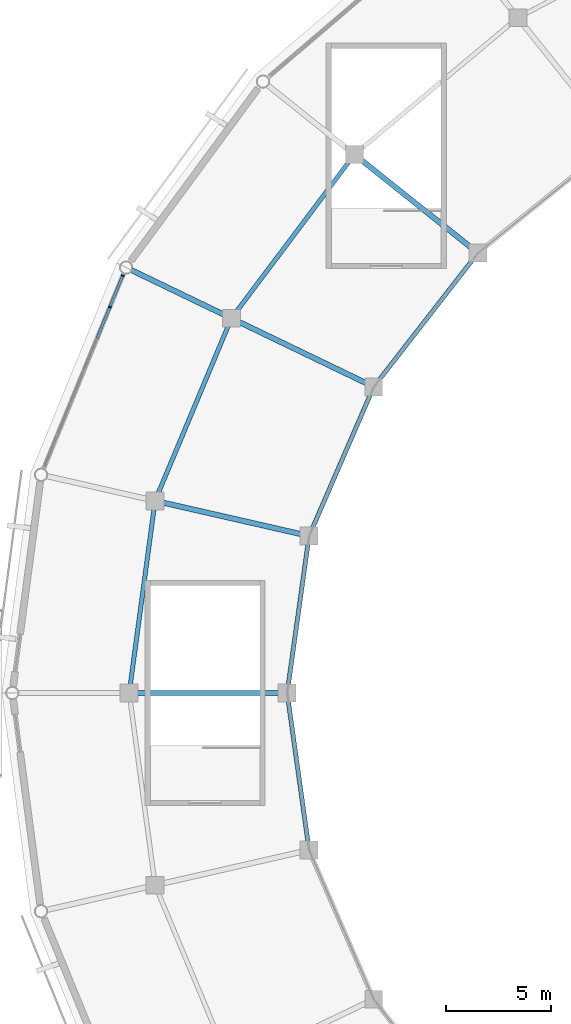
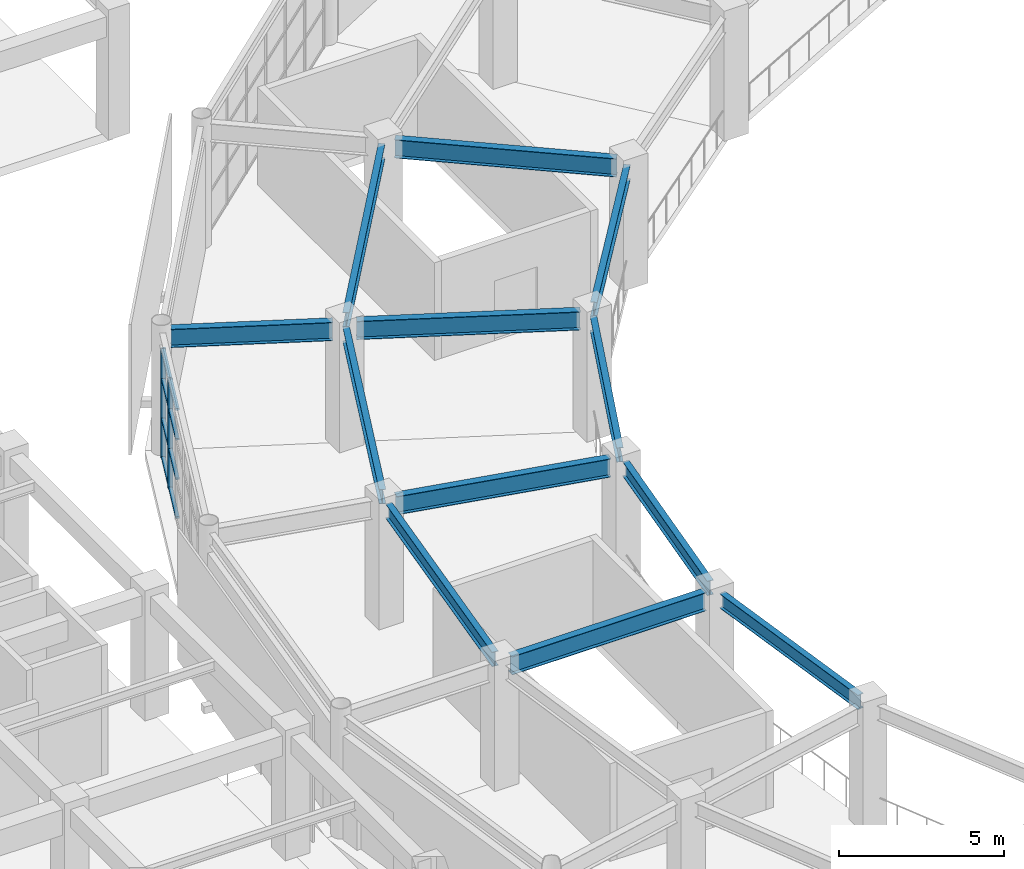
# One storey, part 38 of 112: 12 beams, 10 members, 1 element without a shape of its own.
"""IFC4 building model written with IfcOpenShell, lengths in metres."""

from ifc_helpers import new_model, si_unit, direction, frame, origin, origin_2d, place, context, subcontext, project, spatial, rectangle, i_section, extrude, material, material_profile, profile_set, type_object, element, aggregate, save


model = new_model("IFC4")

# Units and contexts
model_context = context("Model", 3, precision=1e-05, world=origin(), true_north=direction((0.0, 1.0)))
body_context = subcontext(model_context, "Body", "Model", "MODEL_VIEW")
ifc_project = project(units=[si_unit("LENGTHUNIT", "METRE"), si_unit("AREAUNIT", "SQUARE_METRE"), si_unit("VOLUMEUNIT", "CUBIC_METRE"), si_unit("PLANEANGLEUNIT", "RADIAN"), si_unit("MASSUNIT", "GRAM", prefix="KILO")], contexts=[model_context])

# Site, building, storey
site_placement = place(None, origin())
site = spatial("IfcSite", under=ifc_project, at=site_placement, CompositionType="ELEMENT")
building_placement = place(site_placement, origin())
building = spatial("IfcBuilding", under=site, at=building_placement, Name="Cuetzalor Civic Arena", CompositionType="ELEMENT")
storey_placement = place(building_placement, frame((0.0, 0.0, 11.39990234375)))
storey = spatial("IfcBuildingStorey", under=building, at=storey_placement, Name="L02", CompositionType="ELEMENT", Elevation=11.39990234375)

# Curtain wall, members
ifc_material_1 = material(Name="Anodised dark bronze aluminium and low-E solar glass", Category="aluminium")
curtain_wall_type = type_object("IfcCurtainWallType", Name="UnitisedCW_9850x4050", PredefinedType="USERDEFINED", material=ifc_material_1)
curtain_wall_placement = place(storey_placement, origin())
curtain_wall = element("IfcCurtainWall", 1, at=curtain_wall_placement, inside=storey, type_object=curtain_wall_type, Name="Drum Triangle Foyer Curtain Wall L02-038", ObjectType="UNITISED CURTAIN WALL", PredefinedType="USERDEFINED")
ifc_material_2 = material(Name="Anodised dark bronze aluminium", Category="aluminium")
ifc_material_profile_1 = material_profile(ifc_material_2, rectangle(XDim=0.06494140625, YDim=0.14990234375, at=origin_2d()), Name="ALU MULLION 65x150")
ifc_profile_set_1 = profile_set([ifc_material_profile_1], Name="Anodised dark bronze aluminium")
member_type_1 = type_object("IfcMemberType", Name="CurtainWallMullion_60x150", PredefinedType="MULLION", material=ifc_profile_set_1)
member_1_placement = place(storey_placement, frame((-49.916259765625, 18.3232421875, 0.0), z_axis=(0.0, 0.0, 1.0), x_axis=(0.379391428583, 0.925236263836, 0.0)))
member_1 = element("IfcMember", 2, at=member_1_placement, type_object=member_type_1, Name="CW-17 mullion 6", PredefinedType="MULLION", context=body_context, shape_type="SweptSolid", body=[
    extrude(rectangle(XDim=0.06494140625, YDim=0.14990234375, at=origin_2d()), origin(), (0.0, 0.0, 1.0), 4.052978515625),
])
member_2_placement = place(storey_placement, frame((-49.304443359375, 19.815673828125, 0.0), z_axis=(0.0, 0.0, 1.0), x_axis=(0.379391428583, 0.925236263836, 0.0)))
member_2 = element("IfcMember", 3, at=member_2_placement, type_object=member_type_1, Name="CW-17 mullion 7", PredefinedType="MULLION", context=body_context, shape_type="SweptSolid", body=[
    extrude(rectangle(XDim=0.06494140625, YDim=0.14990234375, at=origin_2d()), origin(), (0.0, 0.0, 1.0), 4.052978515625),
])
ifc_material_3 = material(Name="Anodised dark bronze aluminium", Category="aluminium")
ifc_material_profile_2 = material_profile(ifc_material_3, rectangle(XDim=0.1201171875, YDim=0.06494140625, at=origin_2d()), Name="ALU TRANSOM 65x120")
ifc_profile_set_2 = profile_set([ifc_material_profile_2], Name="Anodised dark bronze aluminium")
member_type_2 = type_object("IfcMemberType", Name="CurtainWallTransom_60x120", PredefinedType="USERDEFINED", material=ifc_profile_set_2)
member_3_placement = place(storey_placement, frame((-50.5283203125, 16.83056640625, 0.03271484375), z_axis=(0.379366504724, 0.925246483427, 0.0), x_axis=(-0.925246483427, 0.379366504724, 0.0)))
member_3 = element("IfcMember", 4, at=member_3_placement, type_object=member_type_2, Name="CW-17 transom 5.1", ObjectType="TRANSOM", PredefinedType="USERDEFINED", context=body_context, shape_type="SweptSolid", body=[
    extrude(rectangle(XDim=0.1201171875, YDim=0.06494140625, at=origin_2d()), origin(), (0.0, 0.0, 1.0), 1.58056640625),
])
member_4_placement = place(storey_placement, frame((-50.5283203125, 16.83056640625, 1.458984375), z_axis=(0.379366504724, 0.925246483427, 0.0), x_axis=(-0.925246483427, 0.379366504724, 0.0)))
member_4 = element("IfcMember", 5, at=member_4_placement, type_object=member_type_2, Name="CW-17 transom 5.2", ObjectType="TRANSOM", PredefinedType="USERDEFINED", context=body_context, shape_type="SweptSolid", body=[
    extrude(rectangle(XDim=0.1201171875, YDim=0.06494140625, at=origin_2d()), origin(), (0.0, 0.0, 1.0), 1.58056640625),
])
member_5_placement = place(storey_placement, frame((-50.5283203125, 16.83056640625, 2.918212890625), z_axis=(0.379366504724, 0.925246483427, 0.0), x_axis=(-0.925246483427, 0.379366504724, 0.0)))
member_5 = element("IfcMember", 6, at=member_5_placement, type_object=member_type_2, Name="CW-17 transom 5.3", ObjectType="TRANSOM", PredefinedType="USERDEFINED", context=body_context, shape_type="SweptSolid", body=[
    extrude(rectangle(XDim=0.1201171875, YDim=0.06494140625, at=origin_2d()), origin(), (0.0, 0.0, 1.0), 1.58056640625),
])
member_6_placement = place(storey_placement, frame((-50.5283203125, 16.83056640625, 4.0205078125), z_axis=(0.379366504724, 0.925246483427, 0.0), x_axis=(-0.925246483427, 0.379366504724, 0.0)))
member_6 = element("IfcMember", 7, at=member_6_placement, type_object=member_type_2, Name="CW-17 transom 5.4", ObjectType="TRANSOM", PredefinedType="USERDEFINED", context=body_context, shape_type="SweptSolid", body=[
    extrude(rectangle(XDim=0.1201171875, YDim=0.06494140625, at=origin_2d()), origin(), (0.0, 0.0, 1.0), 1.58056640625),
])
member_7_placement = place(storey_placement, frame((-49.904052734375, 18.353271484375, 0.03271484375), z_axis=(0.379424832692, 0.925222565838, 0.0), x_axis=(-0.925222565838, 0.379424832692, 0.0)))
member_7 = element("IfcMember", 8, at=member_7_placement, type_object=member_type_2, Name="CW-17 transom 6.1", ObjectType="TRANSOM", PredefinedType="USERDEFINED", context=body_context, shape_type="SweptSolid", body=[
    extrude(rectangle(XDim=0.1201171875, YDim=0.06494140625, at=origin_2d()), origin(), (0.0, 0.0, 1.0), 1.548095703125),
])
member_8_placement = place(storey_placement, frame((-49.904052734375, 18.353271484375, 1.458984375), z_axis=(0.379424832692, 0.925222565838, 0.0), x_axis=(-0.925222565838, 0.379424832692, 0.0)))
member_8 = element("IfcMember", 9, at=member_8_placement, type_object=member_type_2, Name="CW-17 transom 6.2", ObjectType="TRANSOM", PredefinedType="USERDEFINED", context=body_context, shape_type="SweptSolid", body=[
    extrude(rectangle(XDim=0.1201171875, YDim=0.06494140625, at=origin_2d()), origin(), (0.0, 0.0, 1.0), 1.548095703125),
])
member_9_placement = place(storey_placement, frame((-49.904052734375, 18.353271484375, 2.918212890625), z_axis=(0.379424832692, 0.925222565838, 0.0), x_axis=(-0.925222565838, 0.379424832692, 0.0)))
member_9 = element("IfcMember", 10, at=member_9_placement, type_object=member_type_2, Name="CW-17 transom 6.3", ObjectType="TRANSOM", PredefinedType="USERDEFINED", context=body_context, shape_type="SweptSolid", body=[
    extrude(rectangle(XDim=0.1201171875, YDim=0.06494140625, at=origin_2d()), origin(), (0.0, 0.0, 1.0), 1.548095703125),
])
member_10_placement = place(storey_placement, frame((-49.904052734375, 18.353271484375, 4.0205078125), z_axis=(0.379424832692, 0.925222565838, 0.0), x_axis=(-0.925222565838, 0.379424832692, 0.0)))
member_10 = element("IfcMember", 11, at=member_10_placement, type_object=member_type_2, Name="CW-17 transom 6.4", ObjectType="TRANSOM", PredefinedType="USERDEFINED", context=body_context, shape_type="SweptSolid", body=[
    extrude(rectangle(XDim=0.1201171875, YDim=0.06494140625, at=origin_2d()), origin(), (0.0, 0.0, 1.0), 1.548095703125),
])
aggregate(curtain_wall, [member_1, member_2, member_3, member_4, member_5, member_6, member_7, member_8, member_9, member_10])

# Beams
ifc_material_4 = material(Name="Steel S355", Category="steel")
ifc_material_profile_3 = material_profile(ifc_material_4, i_section(OverallWidth=0.208984375, OverallDepth=0.532958984375, WebThickness=0.01025390625, FlangeThickness=0.015625, at=origin_2d()), Name="W530x92")
ifc_profile_set_3 = profile_set([ifc_material_profile_3], Name="Steel S355")
beam_type_1 = type_object("IfcBeamType", Name="SteelCollarGirder_W530", PredefinedType="BEAM", material=ifc_profile_set_3)
beam_1_placement = place(storey_placement, frame((-38.531982421875, 25.26708984375, 4.253662109375), z_axis=(-0.600491348624, -0.799631252658, 0.0), x_axis=(0.799631252658, -0.600491348624, 0.0)))
element("IfcBeam", 12, at=beam_1_placement, inside=storey, type_object=beam_type_1, Name="Drum Concourse Ring Girder L02-S12", PredefinedType="BEAM", context=body_context, shape_type="SweptSolid", body=[
    extrude(i_section(OverallWidth=0.208984375, OverallDepth=0.532958984375, WebThickness=0.01025390625, FlangeThickness=0.015625, at=origin_2d()), origin(), (0.0, 0.0, 1.0), 8.9814453125),
])
beam_2_placement = place(storey_placement, frame((-32.6669921875, 20.602783203125, 4.253662109375), z_axis=(-0.614261103096, -0.789102843249, 0.0), x_axis=(0.789102843249, -0.614261103096, 0.0)))
element("IfcBeam", 13, at=beam_2_placement, inside=storey, type_object=beam_type_1, Name="Bowl Inner Ring Girder L02-S12", PredefinedType="BEAM", context=body_context, shape_type="SweptSolid", body=[
    extrude(i_section(OverallWidth=0.208984375, OverallDepth=0.532958984375, WebThickness=0.01025390625, FlangeThickness=0.015625, at=origin_2d()), origin(), (0.0, 0.0, 1.0), 7.329345703125),
])
beam_3_placement = place(storey_placement, frame((-44.290283203125, 17.44775390625, 4.253662109375), z_axis=(-0.385813116722, -0.922576955579, 0.0), x_axis=(0.922576955579, -0.385813116722, 0.0)))
element("IfcBeam", 14, at=beam_3_placement, inside=storey, type_object=beam_type_1, Name="Drum Concourse Ring Girder L02-S13", PredefinedType="BEAM", context=body_context, shape_type="SweptSolid", body=[
    extrude(i_section(OverallWidth=0.208984375, OverallDepth=0.532958984375, WebThickness=0.01025390625, FlangeThickness=0.015625, at=origin_2d()), origin(), (0.0, 0.0, 1.0), 8.65283203125),
])
beam_4_placement = place(storey_placement, frame((-37.533447265625, 14.204833984375, 4.253662109375), z_axis=(-0.39772689401, -0.917503851644, 0.0), x_axis=(0.917503851644, -0.39772689401, 0.0)))
element("IfcBeam", 15, at=beam_4_placement, inside=storey, type_object=beam_type_1, Name="Bowl Inner Ring Girder L02-S13", PredefinedType="BEAM", context=body_context, shape_type="SweptSolid", body=[
    extrude(i_section(OverallWidth=0.208984375, OverallDepth=0.532958984375, WebThickness=0.01025390625, FlangeThickness=0.015625, at=origin_2d()), origin(), (0.0, 0.0, 1.0), 6.9970703125),
])
beam_5_placement = place(storey_placement, frame((-47.82080078125, 8.756591796875, 4.253662109375), z_axis=(-0.13346702922, -0.991053253923, 0.0), x_axis=(0.991053253923, -0.13346702922, 0.0)))
element("IfcBeam", 16, at=beam_5_placement, inside=storey, type_object=beam_type_1, Name="Drum Concourse Ring Girder L02-S14", PredefinedType="BEAM", context=body_context, shape_type="SweptSolid", body=[
    extrude(i_section(OverallWidth=0.208984375, OverallDepth=0.532958984375, WebThickness=0.01025390625, FlangeThickness=0.015625, at=origin_2d()), origin(), (0.0, 0.0, 1.0), 8.465576171875),
])
for number, where, z_axis, x_axis, name in (
    (17, (-40.50927734375, 7.097900390625, 4.253662109375), (-0.138232032173, -0.990399871406, 0.0), (0.990399871406, -0.138232032173, 0.0), "Bowl Inner Ring Girder L02-S14"),
    (18, (-41.4501953125, -0.3564453125, 4.253662109375), (0.138232032173, -0.990399871406, 0.0), (0.990399871406, 0.138232032173, 0.0), "Bowl Inner Ring Girder L02-S15"),
):
    element("IfcBeam", number, at=place(storey_placement, frame(where, z_axis=z_axis, x_axis=x_axis)), inside=storey, type_object=beam_type_1, Name=name, PredefinedType="BEAM", context=body_context, shape_type="SweptSolid", body=[
        extrude(i_section(OverallWidth=0.208984375, OverallDepth=0.532958984375, WebThickness=0.01025390625, FlangeThickness=0.015625, at=origin_2d()), origin(), (0.0, 0.0, 1.0), 6.806884765625),
    ])
ifc_material_5 = material(Name="Steel S355", Category="steel")
ifc_material_profile_4 = material_profile(ifc_material_5, i_section(OverallWidth=0.2529296875, OverallDepth=0.677978515625, WebThickness=0.01171875, FlangeThickness=0.016357421875, at=origin_2d()), Name="W690x125")
ifc_profile_set_4 = profile_set([ifc_material_profile_4], Name="Steel S355")
beam_type_2 = type_object("IfcBeamType", Name="SteelPrimaryGirder_W690", PredefinedType="BEAM", material=ifc_profile_set_4)
beam_6_placement = place(storey_placement, frame((-32.7275390625, 21.111328125, 4.18115234375), z_axis=(-0.781826957604, 0.623495475816, 0.0), x_axis=(-0.623495475816, -0.781826957604, 0.0)))
element("IfcBeam", 19, at=beam_6_placement, inside=storey, type_object=beam_type_2, Name="Drum Inner Radial Girder L02-R12", PredefinedType="BEAM", context=body_context, shape_type="SweptSolid", body=[
    extrude(i_section(OverallWidth=0.2529296875, OverallDepth=0.677978515625, WebThickness=0.01171875, FlangeThickness=0.016357421875, at=origin_2d()), origin(), (0.0, 0.0, 1.0), 6.780029296875),
])
beam_7_placement = place(storey_placement, frame((-44.4716796875, 17.9453125, 4.18115234375), z_axis=(-0.900964883231, 0.433892013275, 0.0), x_axis=(-0.433892013275, -0.900964883231, 0.0)))
element("IfcBeam", 20, at=beam_7_placement, inside=storey, type_object=beam_type_2, Name="Drum Radial Girder L02-R13", PredefinedType="BEAM", context=body_context, shape_type="SweptSolid", body=[
    extrude(i_section(OverallWidth=0.2529296875, OverallDepth=0.677978515625, WebThickness=0.01171875, FlangeThickness=0.016357421875, at=origin_2d()), origin(), (0.0, 0.0, 1.0), 4.900390625),
])
beam_8_placement = place(storey_placement, frame((-37.714599609375, 14.69140625, 4.18115234375), z_axis=(-0.900975603874, 0.433869751452, 0.0), x_axis=(-0.433869751452, -0.900975603874, 0.0)))
element("IfcBeam", 21, at=beam_8_placement, inside=storey, type_object=beam_type_2, Name="Drum Inner Radial Girder L02-R13", PredefinedType="BEAM", context=body_context, shape_type="SweptSolid", body=[
    extrude(i_section(OverallWidth=0.2529296875, OverallDepth=0.677978515625, WebThickness=0.01171875, FlangeThickness=0.016357421875, at=origin_2d()), origin(), (0.0, 0.0, 1.0), 6.780029296875),
])
for number, where, z_axis, x_axis, name in (
    (22, (-40.810546875, 7.53466796875, 4.18115234375), (-0.974931535482, 0.222505058645, 0.0), (-0.222505058645, -0.974931535482, 0.0), "Drum Inner Radial Girder L02-R14"),
    (23, (-41.860107421875, 0.0, 4.18115234375), (-1.0, 0.0, 0.0), (0.0, -1.0, 0.0), "Drum Inner Radial Girder L02-R15"),
):
    element("IfcBeam", number, at=place(storey_placement, frame(where, z_axis=z_axis, x_axis=x_axis)), inside=storey, type_object=beam_type_2, Name=name, PredefinedType="BEAM", context=body_context, shape_type="SweptSolid", body=[
        extrude(i_section(OverallWidth=0.2529296875, OverallDepth=0.677978515625, WebThickness=0.01171875, FlangeThickness=0.016357421875, at=origin_2d()), origin(), (0.0, 0.0, 1.0), 6.77978515625),
    ])

save(model, "model.ifc")
